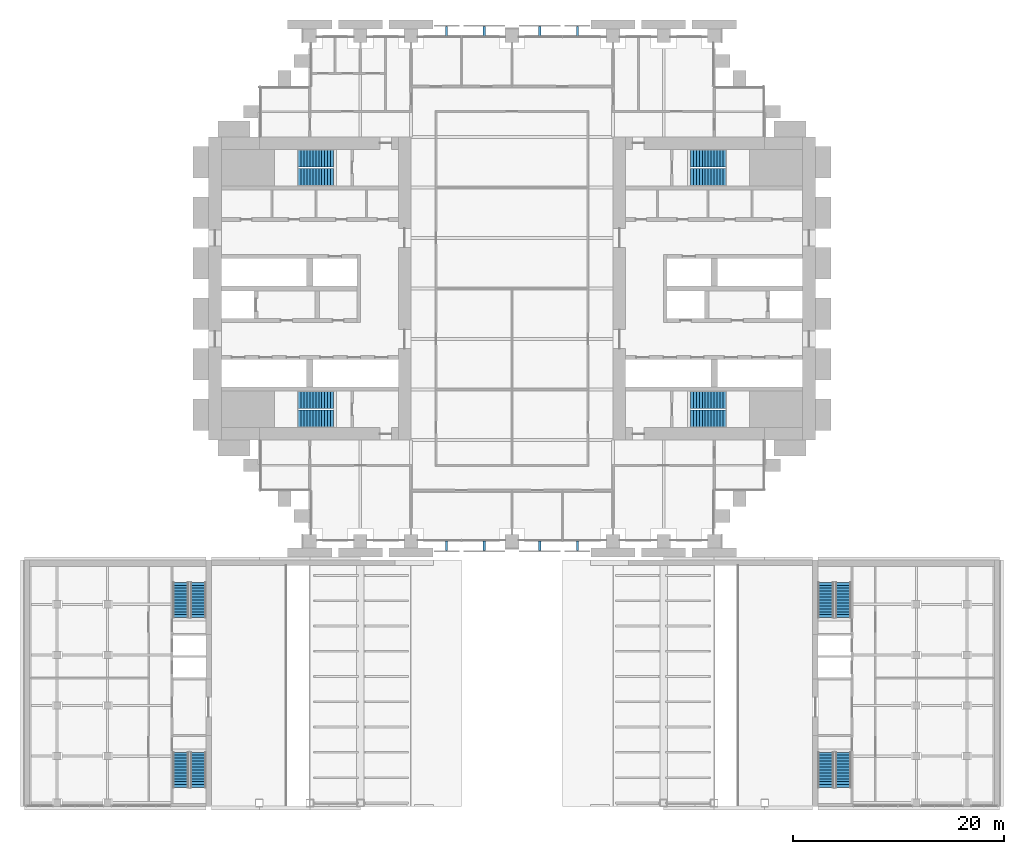
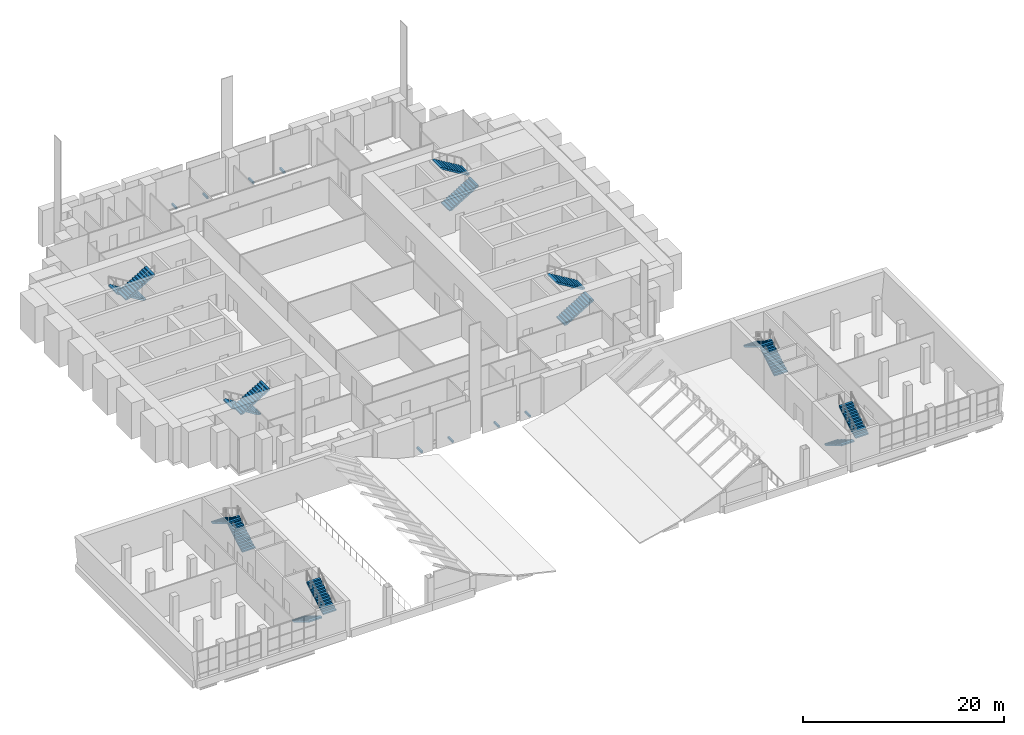
# One storey, part 25 of 32: 16 stair flights, 8 discrete accessories, 8 elements without a shape of their own.
"""IFC4 building model written with IfcOpenShell, lengths in metres."""

from ifc_helpers import new_model, si_unit, direction, frame, origin, origin_2d, place, context, subcontext, project, spatial, polyline, rectangle, outline, extrude, material, type_object, element, aggregate, save


model = new_model("IFC4")

# Units and contexts
model_context = context("Model", 3, precision=1e-05, world=origin(), true_north=direction((0.0, 1.0)))
body_context = subcontext(model_context, "Body", "Model", "MODEL_VIEW")
ifc_project = project(units=[si_unit("LENGTHUNIT", "METRE"), si_unit("AREAUNIT", "SQUARE_METRE"), si_unit("VOLUMEUNIT", "CUBIC_METRE"), si_unit("PLANEANGLEUNIT", "RADIAN"), si_unit("MASSUNIT", "GRAM", prefix="KILO")], contexts=[model_context])

# Site, building, storey
site_placement = place(None, origin())
site = spatial("IfcSite", under=ifc_project, at=site_placement, CompositionType="ELEMENT")
building_placement = place(site_placement, origin())
building = spatial("IfcBuilding", under=site, at=building_placement, Name="Baori Bourse Tower", CompositionType="ELEMENT")
storey_placement = place(building_placement, frame((0.0, 0.0, 12.60009765625)))
storey = spatial("IfcBuildingStorey", under=building, at=storey_placement, Name="L01", CompositionType="ELEMENT", Elevation=12.60009765625)

# Stair, stair flights
ifc_material_1 = material(Name="Concrete f'c 50 MPa", Category="concrete")
stair_type_1 = type_object("IfcStairType", Name="Core stair", PredefinedType="HALF_TURN_STAIR", material=ifc_material_1)
stair_1_placement = place(storey_placement, origin())
stair_1 = element("IfcStair", 1, at=stair_1_placement, inside=storey, type_object=stair_type_1, Name="L01 Stair WA", PredefinedType="HALF_TURN_STAIR")
ifc_material_2 = material(Name="Concrete f'c 50 MPa", Category="concrete")
stair_flight_type_1 = type_object("IfcStairFlightType", Name="Core stair flight", PredefinedType="STRAIGHT", material=ifc_material_2)
stair_flight_1_placement = place(storey_placement, frame((11.85009765625, 13.425048828125, 0.0), z_axis=(0.0, 0.0, 1.0), x_axis=(-1.0, 0.0, 0.0)))
stair_flight_1 = element("IfcStairFlight", 2, at=stair_flight_1_placement, type_object=stair_flight_type_1, Name="ST1 flight 1", NumberOfRisers=13, NumberOfTreads=12, PredefinedType="STRAIGHT", RiserHeight=0.169230769, TreadLength=0.28, context=body_context, shape_type="SweptSolid", body=[
    extrude(outline(polyline([(0.0, 0.0), (0.0, 0.169189453125), (0.280029296875, 0.169189453125), (0.280029296875, 0.33837890625), (0.56005859375, 0.33837890625), (0.56005859375, 0.5078125), (0.840087890625, 0.5078125), (0.840087890625, 0.677001953125), (1.1201171875, 0.677001953125), (1.1201171875, 0.84619140625), (1.39990234375, 0.84619140625), (1.39990234375, 1.015380859375), (1.679931640625, 1.015380859375), (1.679931640625, 1.1845703125), (1.9599609375, 1.1845703125), (1.9599609375, 1.353759765625), (2.239990234375, 1.353759765625), (2.239990234375, 1.523193359375), (2.52001953125, 1.523193359375), (2.52001953125, 1.6923828125), (2.800048828125, 1.6923828125), (2.800048828125, 1.861572265625), (3.080078125, 1.861572265625), (3.080078125, 2.03076171875), (3.360107421875, 2.03076171875), (3.360107421875, 2.199951171875), (3.360107421875, 1.855712890625), (0.289794921875, 0.0), (0.0, 0.0)])), frame((0.0, 0.824951171875, 0.0), z_axis=(0.0, -1.0, 0.0), x_axis=(1.0, 0.0, 0.0)), (0.0, 0.0, 1.0), 1.64990234375),
])
stair_flight_2_placement = place(storey_placement, frame((8.489990234375, 11.625, 2.199951171875), z_axis=(0.0, 0.0, 1.0), x_axis=(1.0, 0.0, 0.0)))
stair_flight_2 = element("IfcStairFlight", 3, at=stair_flight_2_placement, type_object=stair_flight_type_1, Name="ST1 flight 2", NumberOfRisers=13, NumberOfTreads=12, PredefinedType="STRAIGHT", RiserHeight=0.169230769, TreadLength=0.28, context=body_context, shape_type="SweptSolid", body=[
    extrude(outline(polyline([(0.0, 0.0), (0.0, 0.169189453125), (0.280029296875, 0.169189453125), (0.280029296875, 0.33837890625), (0.56005859375, 0.33837890625), (0.56005859375, 0.5078125), (0.840087890625, 0.5078125), (0.840087890625, 0.677001953125), (1.1201171875, 0.677001953125), (1.1201171875, 0.84619140625), (1.39990234375, 0.84619140625), (1.39990234375, 1.015380859375), (1.679931640625, 1.015380859375), (1.679931640625, 1.1845703125), (1.9599609375, 1.1845703125), (1.9599609375, 1.353759765625), (2.239990234375, 1.353759765625), (2.239990234375, 1.523193359375), (2.52001953125, 1.523193359375), (2.52001953125, 1.6923828125), (2.800048828125, 1.6923828125), (2.800048828125, 1.861572265625), (3.080078125, 1.861572265625), (3.080078125, 2.03076171875), (3.360107421875, 2.03076171875), (3.360107421875, 2.199951171875), (3.360107421875, 1.855712890625), (0.289794921875, 0.0), (0.0, 0.0)])), frame((0.0, 0.824951171875, 0.0), z_axis=(0.0, -1.0, 0.0), x_axis=(1.0, 0.0, 0.0)), (0.0, 0.0, 1.0), 1.64990234375),
])
aggregate(stair_1, [stair_flight_1, stair_flight_2])

stair_2_placement = place(storey_placement, origin())
stair_2 = element("IfcStair", 4, at=stair_2_placement, inside=storey, type_object=stair_type_1, Name="L01 Stair WB", PredefinedType="HALF_TURN_STAIR")
stair_flight_3_placement = place(storey_placement, frame((11.85009765625, 36.375, 0.0), z_axis=(0.0, 0.0, 1.0), x_axis=(-1.0, 0.0, 0.0)))
stair_flight_3 = element("IfcStairFlight", 5, at=stair_flight_3_placement, type_object=stair_flight_type_1, Name="ST2 flight 1", NumberOfRisers=13, NumberOfTreads=12, PredefinedType="STRAIGHT", RiserHeight=0.169230769, TreadLength=0.28, context=body_context, shape_type="SweptSolid", body=[
    extrude(outline(polyline([(0.0, 0.0), (0.0, 0.169189453125), (0.280029296875, 0.169189453125), (0.280029296875, 0.33837890625), (0.56005859375, 0.33837890625), (0.56005859375, 0.5078125), (0.840087890625, 0.5078125), (0.840087890625, 0.677001953125), (1.1201171875, 0.677001953125), (1.1201171875, 0.84619140625), (1.39990234375, 0.84619140625), (1.39990234375, 1.015380859375), (1.679931640625, 1.015380859375), (1.679931640625, 1.1845703125), (1.9599609375, 1.1845703125), (1.9599609375, 1.353759765625), (2.239990234375, 1.353759765625), (2.239990234375, 1.523193359375), (2.52001953125, 1.523193359375), (2.52001953125, 1.6923828125), (2.800048828125, 1.6923828125), (2.800048828125, 1.861572265625), (3.080078125, 1.861572265625), (3.080078125, 2.03076171875), (3.360107421875, 2.03076171875), (3.360107421875, 2.199951171875), (3.360107421875, 1.855712890625), (0.289794921875, 0.0), (0.0, 0.0)])), frame((0.0, 0.824951171875, 0.0), z_axis=(0.0, -1.0, 0.0), x_axis=(1.0, 0.0, 0.0)), (0.0, 0.0, 1.0), 1.64990234375),
])
stair_flight_4_placement = place(storey_placement, frame((8.489990234375, 34.574951171875, 2.199951171875), z_axis=(0.0, 0.0, 1.0), x_axis=(1.0, 0.0, 0.0)))
stair_flight_4 = element("IfcStairFlight", 6, at=stair_flight_4_placement, type_object=stair_flight_type_1, Name="ST2 flight 2", NumberOfRisers=13, NumberOfTreads=12, PredefinedType="STRAIGHT", RiserHeight=0.169230769, TreadLength=0.28, context=body_context, shape_type="SweptSolid", body=[
    extrude(outline(polyline([(0.0, 0.0), (0.0, 0.169189453125), (0.280029296875, 0.169189453125), (0.280029296875, 0.33837890625), (0.56005859375, 0.33837890625), (0.56005859375, 0.5078125), (0.840087890625, 0.5078125), (0.840087890625, 0.677001953125), (1.1201171875, 0.677001953125), (1.1201171875, 0.84619140625), (1.39990234375, 0.84619140625), (1.39990234375, 1.015380859375), (1.679931640625, 1.015380859375), (1.679931640625, 1.1845703125), (1.9599609375, 1.1845703125), (1.9599609375, 1.353759765625), (2.239990234375, 1.353759765625), (2.239990234375, 1.523193359375), (2.52001953125, 1.523193359375), (2.52001953125, 1.6923828125), (2.800048828125, 1.6923828125), (2.800048828125, 1.861572265625), (3.080078125, 1.861572265625), (3.080078125, 2.03076171875), (3.360107421875, 2.03076171875), (3.360107421875, 2.199951171875), (3.360107421875, 1.855712890625), (0.289794921875, 0.0), (0.0, 0.0)])), frame((0.0, 0.824951171875, 0.0), z_axis=(0.0, -1.0, 0.0), x_axis=(1.0, 0.0, 0.0)), (0.0, 0.0, 1.0), 1.64990234375),
])
aggregate(stair_2, [stair_flight_3, stair_flight_4])

stair_3_placement = place(storey_placement, origin())
stair_3 = element("IfcStair", 7, at=stair_3_placement, inside=storey, type_object=stair_type_1, Name="L01 Stair EA", PredefinedType="HALF_TURN_STAIR")
stair_flight_5_placement = place(storey_placement, frame((45.75, 11.625, 0.0), z_axis=(0.0, 0.0, 1.0), x_axis=(1.0, 0.0, 0.0)))
stair_flight_5 = element("IfcStairFlight", 8, at=stair_flight_5_placement, type_object=stair_flight_type_1, Name="ST3 flight 1", NumberOfRisers=13, NumberOfTreads=12, PredefinedType="STRAIGHT", RiserHeight=0.169230769, TreadLength=0.28, context=body_context, shape_type="SweptSolid", body=[
    extrude(outline(polyline([(0.0, 0.0), (0.0, 0.169189453125), (0.280029296875, 0.169189453125), (0.280029296875, 0.33837890625), (0.56005859375, 0.33837890625), (0.56005859375, 0.5078125), (0.840087890625, 0.5078125), (0.840087890625, 0.677001953125), (1.1201171875, 0.677001953125), (1.1201171875, 0.84619140625), (1.39990234375, 0.84619140625), (1.39990234375, 1.015380859375), (1.679931640625, 1.015380859375), (1.679931640625, 1.1845703125), (1.9599609375, 1.1845703125), (1.9599609375, 1.353759765625), (2.239990234375, 1.353759765625), (2.239990234375, 1.523193359375), (2.52001953125, 1.523193359375), (2.52001953125, 1.6923828125), (2.800048828125, 1.6923828125), (2.800048828125, 1.861572265625), (3.080078125, 1.861572265625), (3.080078125, 2.03076171875), (3.360107421875, 2.03076171875), (3.360107421875, 2.199951171875), (3.360107421875, 1.855712890625), (0.289794921875, 0.0), (0.0, 0.0)])), frame((0.0, 0.824951171875, 0.0), z_axis=(0.0, -1.0, 0.0), x_axis=(1.0, 0.0, 0.0)), (0.0, 0.0, 1.0), 1.64990234375),
])
stair_flight_6_placement = place(storey_placement, frame((49.110107421875, 13.425048828125, 2.199951171875), z_axis=(0.0, 0.0, 1.0), x_axis=(-1.0, 0.0, 0.0)))
stair_flight_6 = element("IfcStairFlight", 9, at=stair_flight_6_placement, type_object=stair_flight_type_1, Name="ST3 flight 2", NumberOfRisers=13, NumberOfTreads=12, PredefinedType="STRAIGHT", RiserHeight=0.169230769, TreadLength=0.28, context=body_context, shape_type="SweptSolid", body=[
    extrude(outline(polyline([(0.0, 0.0), (0.0, 0.169189453125), (0.280029296875, 0.169189453125), (0.280029296875, 0.33837890625), (0.56005859375, 0.33837890625), (0.56005859375, 0.5078125), (0.840087890625, 0.5078125), (0.840087890625, 0.677001953125), (1.1201171875, 0.677001953125), (1.1201171875, 0.84619140625), (1.39990234375, 0.84619140625), (1.39990234375, 1.015380859375), (1.679931640625, 1.015380859375), (1.679931640625, 1.1845703125), (1.9599609375, 1.1845703125), (1.9599609375, 1.353759765625), (2.239990234375, 1.353759765625), (2.239990234375, 1.523193359375), (2.52001953125, 1.523193359375), (2.52001953125, 1.6923828125), (2.800048828125, 1.6923828125), (2.800048828125, 1.861572265625), (3.080078125, 1.861572265625), (3.080078125, 2.03076171875), (3.360107421875, 2.03076171875), (3.360107421875, 2.199951171875), (3.360107421875, 1.855712890625), (0.289794921875, 0.0), (0.0, 0.0)])), frame((0.0, 0.824951171875, 0.0), z_axis=(0.0, -1.0, 0.0), x_axis=(1.0, 0.0, 0.0)), (0.0, 0.0, 1.0), 1.64990234375),
])
aggregate(stair_3, [stair_flight_5, stair_flight_6])

stair_4_placement = place(storey_placement, origin())
stair_4 = element("IfcStair", 10, at=stair_4_placement, inside=storey, type_object=stair_type_1, Name="L01 Stair EB", PredefinedType="HALF_TURN_STAIR")
stair_flight_7_placement = place(storey_placement, frame((45.75, 34.574951171875, 0.0), z_axis=(0.0, 0.0, 1.0), x_axis=(1.0, 0.0, 0.0)))
stair_flight_7 = element("IfcStairFlight", 11, at=stair_flight_7_placement, type_object=stair_flight_type_1, Name="ST4 flight 1", NumberOfRisers=13, NumberOfTreads=12, PredefinedType="STRAIGHT", RiserHeight=0.169230769, TreadLength=0.28, context=body_context, shape_type="SweptSolid", body=[
    extrude(outline(polyline([(0.0, 0.0), (0.0, 0.169189453125), (0.280029296875, 0.169189453125), (0.280029296875, 0.33837890625), (0.56005859375, 0.33837890625), (0.56005859375, 0.5078125), (0.840087890625, 0.5078125), (0.840087890625, 0.677001953125), (1.1201171875, 0.677001953125), (1.1201171875, 0.84619140625), (1.39990234375, 0.84619140625), (1.39990234375, 1.015380859375), (1.679931640625, 1.015380859375), (1.679931640625, 1.1845703125), (1.9599609375, 1.1845703125), (1.9599609375, 1.353759765625), (2.239990234375, 1.353759765625), (2.239990234375, 1.523193359375), (2.52001953125, 1.523193359375), (2.52001953125, 1.6923828125), (2.800048828125, 1.6923828125), (2.800048828125, 1.861572265625), (3.080078125, 1.861572265625), (3.080078125, 2.03076171875), (3.360107421875, 2.03076171875), (3.360107421875, 2.199951171875), (3.360107421875, 1.855712890625), (0.289794921875, 0.0), (0.0, 0.0)])), frame((0.0, 0.824951171875, 0.0), z_axis=(0.0, -1.0, 0.0), x_axis=(1.0, 0.0, 0.0)), (0.0, 0.0, 1.0), 1.64990234375),
])
stair_flight_8_placement = place(storey_placement, frame((49.110107421875, 36.375, 2.199951171875), z_axis=(0.0, 0.0, 1.0), x_axis=(-1.0, 0.0, 0.0)))
stair_flight_8 = element("IfcStairFlight", 12, at=stair_flight_8_placement, type_object=stair_flight_type_1, Name="ST4 flight 2", NumberOfRisers=13, NumberOfTreads=12, PredefinedType="STRAIGHT", RiserHeight=0.169230769, TreadLength=0.28, context=body_context, shape_type="SweptSolid", body=[
    extrude(outline(polyline([(0.0, 0.0), (0.0, 0.169189453125), (0.280029296875, 0.169189453125), (0.280029296875, 0.33837890625), (0.56005859375, 0.33837890625), (0.56005859375, 0.5078125), (0.840087890625, 0.5078125), (0.840087890625, 0.677001953125), (1.1201171875, 0.677001953125), (1.1201171875, 0.84619140625), (1.39990234375, 0.84619140625), (1.39990234375, 1.015380859375), (1.679931640625, 1.015380859375), (1.679931640625, 1.1845703125), (1.9599609375, 1.1845703125), (1.9599609375, 1.353759765625), (2.239990234375, 1.353759765625), (2.239990234375, 1.523193359375), (2.52001953125, 1.523193359375), (2.52001953125, 1.6923828125), (2.800048828125, 1.6923828125), (2.800048828125, 1.861572265625), (3.080078125, 1.861572265625), (3.080078125, 2.03076171875), (3.360107421875, 2.03076171875), (3.360107421875, 2.199951171875), (3.360107421875, 1.855712890625), (0.289794921875, 0.0), (0.0, 0.0)])), frame((0.0, 0.824951171875, 0.0), z_axis=(0.0, -1.0, 0.0), x_axis=(1.0, 0.0, 0.0)), (0.0, 0.0, 1.0), 1.64990234375),
])
aggregate(stair_4, [stair_flight_7, stair_flight_8])

ifc_material_3 = material(Name="Concrete f'c 40 MPa", Category="concrete")
stair_type_2 = type_object("IfcStairType", Name="Wing exit stair 1500", PredefinedType="HALF_TURN_STAIR", material=ifc_material_3)
stair_5_placement = place(storey_placement, origin())
stair_5 = element("IfcStair", 13, at=stair_5_placement, inside=storey, type_object=stair_type_2, Name="L01 Exit stair WA", PredefinedType="HALF_TURN_STAIR")
ifc_material_4 = material(Name="Concrete f'c 40 MPa", Category="concrete")
stair_flight_type_2 = type_object("IfcStairFlightType", Name="Wing stair flight 1500", PredefinedType="STRAIGHT", material=ifc_material_4)
stair_flight_9_placement = place(storey_placement, frame((-1.0, -7.260009765625, 0.0), z_axis=(0.0, 0.0, 1.0), x_axis=(0.0, 1.0, 0.0)))
stair_flight_9 = element("IfcStairFlight", 14, at=stair_flight_9_placement, type_object=stair_flight_type_2, Name="W-STA flight 1", NumberOfRisers=13, NumberOfTreads=12, PredefinedType="STRAIGHT", RiserHeight=0.169230769, TreadLength=0.28, context=body_context, shape_type="SweptSolid", body=[
    extrude(outline(polyline([(0.0, 0.0), (0.0, 0.169189453125), (0.280029296875, 0.169189453125), (0.280029296875, 0.33837890625), (0.56005859375, 0.33837890625), (0.56005859375, 0.5078125), (0.840087890625, 0.5078125), (0.840087890625, 0.677001953125), (1.1201171875, 0.677001953125), (1.1201171875, 0.84619140625), (1.39990234375, 0.84619140625), (1.39990234375, 1.015380859375), (1.679931640625, 1.015380859375), (1.679931640625, 1.1845703125), (1.9599609375, 1.1845703125), (1.9599609375, 1.353759765625), (2.239990234375, 1.353759765625), (2.239990234375, 1.523193359375), (2.52001953125, 1.523193359375), (2.52001953125, 1.6923828125), (2.800048828125, 1.6923828125), (2.800048828125, 1.861572265625), (3.080078125, 1.861572265625), (3.080078125, 2.03076171875), (3.360107421875, 2.03076171875), (3.360107421875, 2.199951171875), (3.360107421875, 1.855712890625), (0.289794921875, 0.0), (0.0, 0.0)])), frame((0.0, 0.75, 0.0), z_axis=(0.0, -1.0, 0.0), x_axis=(1.0, 0.0, 0.0)), (0.0, 0.0, 1.0), 1.5),
])
stair_flight_10_placement = place(storey_placement, frame((-2.64990234375, -3.89990234375, 2.199951171875), z_axis=(0.0, 0.0, 1.0), x_axis=(0.0, -1.0, 0.0)))
stair_flight_10 = element("IfcStairFlight", 15, at=stair_flight_10_placement, type_object=stair_flight_type_2, Name="W-STA flight 2", NumberOfRisers=13, NumberOfTreads=12, PredefinedType="STRAIGHT", RiserHeight=0.169230769, TreadLength=0.28, context=body_context, shape_type="SweptSolid", body=[
    extrude(outline(polyline([(0.0, 0.0), (0.0, 0.169189453125), (0.280029296875, 0.169189453125), (0.280029296875, 0.33837890625), (0.56005859375, 0.33837890625), (0.56005859375, 0.5078125), (0.840087890625, 0.5078125), (0.840087890625, 0.677001953125), (1.1201171875, 0.677001953125), (1.1201171875, 0.84619140625), (1.39990234375, 0.84619140625), (1.39990234375, 1.015380859375), (1.679931640625, 1.015380859375), (1.679931640625, 1.1845703125), (1.9599609375, 1.1845703125), (1.9599609375, 1.353759765625), (2.239990234375, 1.353759765625), (2.239990234375, 1.523193359375), (2.52001953125, 1.523193359375), (2.52001953125, 1.6923828125), (2.800048828125, 1.6923828125), (2.800048828125, 1.861572265625), (3.080078125, 1.861572265625), (3.080078125, 2.03076171875), (3.360107421875, 2.03076171875), (3.360107421875, 2.199951171875), (3.360107421875, 1.855712890625), (0.289794921875, 0.0), (0.0, 0.0)])), frame((0.0, 0.75, 0.0), z_axis=(0.0, -1.0, 0.0), x_axis=(1.0, 0.0, 0.0)), (0.0, 0.0, 1.0), 1.5),
])
aggregate(stair_5, [stair_flight_9, stair_flight_10])

stair_6_placement = place(storey_placement, origin())
stair_6 = element("IfcStair", 16, at=stair_6_placement, inside=storey, type_object=stair_type_2, Name="L01 Exit stair WB", PredefinedType="HALF_TURN_STAIR")
stair_flight_11_placement = place(storey_placement, frame((-2.64990234375, -20.0400390625, 0.0), z_axis=(0.0, 0.0, 1.0), x_axis=(0.0, -1.0, 0.0)))
stair_flight_11 = element("IfcStairFlight", 17, at=stair_flight_11_placement, type_object=stair_flight_type_2, Name="W-STB flight 1", NumberOfRisers=13, NumberOfTreads=12, PredefinedType="STRAIGHT", RiserHeight=0.169230769, TreadLength=0.28, context=body_context, shape_type="SweptSolid", body=[
    extrude(outline(polyline([(0.0, 0.0), (0.0, 0.169189453125), (0.280029296875, 0.169189453125), (0.280029296875, 0.33837890625), (0.56005859375, 0.33837890625), (0.56005859375, 0.5078125), (0.840087890625, 0.5078125), (0.840087890625, 0.677001953125), (1.1201171875, 0.677001953125), (1.1201171875, 0.84619140625), (1.39990234375, 0.84619140625), (1.39990234375, 1.015380859375), (1.679931640625, 1.015380859375), (1.679931640625, 1.1845703125), (1.9599609375, 1.1845703125), (1.9599609375, 1.353759765625), (2.239990234375, 1.353759765625), (2.239990234375, 1.523193359375), (2.52001953125, 1.523193359375), (2.52001953125, 1.6923828125), (2.800048828125, 1.6923828125), (2.800048828125, 1.861572265625), (3.080078125, 1.861572265625), (3.080078125, 2.03076171875), (3.360107421875, 2.03076171875), (3.360107421875, 2.199951171875), (3.360107421875, 1.855712890625), (0.289794921875, 0.0), (0.0, 0.0)])), frame((0.0, 0.75, 0.0), z_axis=(0.0, -1.0, 0.0), x_axis=(1.0, 0.0, 0.0)), (0.0, 0.0, 1.0), 1.5),
])
stair_flight_12_placement = place(storey_placement, frame((-1.0, -23.39990234375, 2.199951171875), z_axis=(0.0, 0.0, 1.0), x_axis=(0.0, 1.0, 0.0)))
stair_flight_12 = element("IfcStairFlight", 18, at=stair_flight_12_placement, type_object=stair_flight_type_2, Name="W-STB flight 2", NumberOfRisers=13, NumberOfTreads=12, PredefinedType="STRAIGHT", RiserHeight=0.169230769, TreadLength=0.28, context=body_context, shape_type="SweptSolid", body=[
    extrude(outline(polyline([(0.0, 0.0), (0.0, 0.169189453125), (0.280029296875, 0.169189453125), (0.280029296875, 0.33837890625), (0.56005859375, 0.33837890625), (0.56005859375, 0.5078125), (0.840087890625, 0.5078125), (0.840087890625, 0.677001953125), (1.1201171875, 0.677001953125), (1.1201171875, 0.84619140625), (1.39990234375, 0.84619140625), (1.39990234375, 1.015380859375), (1.679931640625, 1.015380859375), (1.679931640625, 1.1845703125), (1.9599609375, 1.1845703125), (1.9599609375, 1.353759765625), (2.239990234375, 1.353759765625), (2.239990234375, 1.523193359375), (2.52001953125, 1.523193359375), (2.52001953125, 1.6923828125), (2.800048828125, 1.6923828125), (2.800048828125, 1.861572265625), (3.080078125, 1.861572265625), (3.080078125, 2.03076171875), (3.360107421875, 2.03076171875), (3.360107421875, 2.199951171875), (3.360107421875, 1.855712890625), (0.289794921875, 0.0), (0.0, 0.0)])), frame((0.0, 0.75, 0.0), z_axis=(0.0, -1.0, 0.0), x_axis=(1.0, 0.0, 0.0)), (0.0, 0.0, 1.0), 1.5),
])
aggregate(stair_6, [stair_flight_11, stair_flight_12])

stair_7_placement = place(storey_placement, origin())
stair_7 = element("IfcStair", 19, at=stair_7_placement, inside=storey, type_object=stair_type_2, Name="L01 Exit stair EA", PredefinedType="HALF_TURN_STAIR")
stair_flight_13_placement = place(storey_placement, frame((60.25, -7.260009765625, 0.0), z_axis=(0.0, 0.0, 1.0), x_axis=(0.0, 1.0, 0.0)))
stair_flight_13 = element("IfcStairFlight", 20, at=stair_flight_13_placement, type_object=stair_flight_type_2, Name="E-STA flight 1", NumberOfRisers=13, NumberOfTreads=12, PredefinedType="STRAIGHT", RiserHeight=0.169230769, TreadLength=0.28, context=body_context, shape_type="SweptSolid", body=[
    extrude(outline(polyline([(0.0, 0.0), (0.0, 0.169189453125), (0.280029296875, 0.169189453125), (0.280029296875, 0.33837890625), (0.56005859375, 0.33837890625), (0.56005859375, 0.5078125), (0.840087890625, 0.5078125), (0.840087890625, 0.677001953125), (1.1201171875, 0.677001953125), (1.1201171875, 0.84619140625), (1.39990234375, 0.84619140625), (1.39990234375, 1.015380859375), (1.679931640625, 1.015380859375), (1.679931640625, 1.1845703125), (1.9599609375, 1.1845703125), (1.9599609375, 1.353759765625), (2.239990234375, 1.353759765625), (2.239990234375, 1.523193359375), (2.52001953125, 1.523193359375), (2.52001953125, 1.6923828125), (2.800048828125, 1.6923828125), (2.800048828125, 1.861572265625), (3.080078125, 1.861572265625), (3.080078125, 2.03076171875), (3.360107421875, 2.03076171875), (3.360107421875, 2.199951171875), (3.360107421875, 1.855712890625), (0.289794921875, 0.0), (0.0, 0.0)])), frame((0.0, 0.75, 0.0), z_axis=(0.0, -1.0, 0.0), x_axis=(1.0, 0.0, 0.0)), (0.0, 0.0, 1.0), 1.5),
])
stair_flight_14_placement = place(storey_placement, frame((58.60009765625, -3.89990234375, 2.199951171875), z_axis=(0.0, 0.0, 1.0), x_axis=(0.0, -1.0, 0.0)))
stair_flight_14 = element("IfcStairFlight", 21, at=stair_flight_14_placement, type_object=stair_flight_type_2, Name="E-STA flight 2", NumberOfRisers=13, NumberOfTreads=12, PredefinedType="STRAIGHT", RiserHeight=0.169230769, TreadLength=0.28, context=body_context, shape_type="SweptSolid", body=[
    extrude(outline(polyline([(0.0, 0.0), (0.0, 0.169189453125), (0.280029296875, 0.169189453125), (0.280029296875, 0.33837890625), (0.56005859375, 0.33837890625), (0.56005859375, 0.5078125), (0.840087890625, 0.5078125), (0.840087890625, 0.677001953125), (1.1201171875, 0.677001953125), (1.1201171875, 0.84619140625), (1.39990234375, 0.84619140625), (1.39990234375, 1.015380859375), (1.679931640625, 1.015380859375), (1.679931640625, 1.1845703125), (1.9599609375, 1.1845703125), (1.9599609375, 1.353759765625), (2.239990234375, 1.353759765625), (2.239990234375, 1.523193359375), (2.52001953125, 1.523193359375), (2.52001953125, 1.6923828125), (2.800048828125, 1.6923828125), (2.800048828125, 1.861572265625), (3.080078125, 1.861572265625), (3.080078125, 2.03076171875), (3.360107421875, 2.03076171875), (3.360107421875, 2.199951171875), (3.360107421875, 1.855712890625), (0.289794921875, 0.0), (0.0, 0.0)])), frame((0.0, 0.75, 0.0), z_axis=(0.0, -1.0, 0.0), x_axis=(1.0, 0.0, 0.0)), (0.0, 0.0, 1.0), 1.5),
])
aggregate(stair_7, [stair_flight_13, stair_flight_14])

stair_8_placement = place(storey_placement, origin())
stair_8 = element("IfcStair", 22, at=stair_8_placement, inside=storey, type_object=stair_type_2, Name="L01 Exit stair EB", PredefinedType="HALF_TURN_STAIR")
stair_flight_15_placement = place(storey_placement, frame((58.60009765625, -20.0400390625, 0.0), z_axis=(0.0, 0.0, 1.0), x_axis=(0.0, -1.0, 0.0)))
stair_flight_15 = element("IfcStairFlight", 23, at=stair_flight_15_placement, type_object=stair_flight_type_2, Name="E-STB flight 1", NumberOfRisers=13, NumberOfTreads=12, PredefinedType="STRAIGHT", RiserHeight=0.169230769, TreadLength=0.28, context=body_context, shape_type="SweptSolid", body=[
    extrude(outline(polyline([(0.0, 0.0), (0.0, 0.169189453125), (0.280029296875, 0.169189453125), (0.280029296875, 0.33837890625), (0.56005859375, 0.33837890625), (0.56005859375, 0.5078125), (0.840087890625, 0.5078125), (0.840087890625, 0.677001953125), (1.1201171875, 0.677001953125), (1.1201171875, 0.84619140625), (1.39990234375, 0.84619140625), (1.39990234375, 1.015380859375), (1.679931640625, 1.015380859375), (1.679931640625, 1.1845703125), (1.9599609375, 1.1845703125), (1.9599609375, 1.353759765625), (2.239990234375, 1.353759765625), (2.239990234375, 1.523193359375), (2.52001953125, 1.523193359375), (2.52001953125, 1.6923828125), (2.800048828125, 1.6923828125), (2.800048828125, 1.861572265625), (3.080078125, 1.861572265625), (3.080078125, 2.03076171875), (3.360107421875, 2.03076171875), (3.360107421875, 2.199951171875), (3.360107421875, 1.855712890625), (0.289794921875, 0.0), (0.0, 0.0)])), frame((0.0, 0.75, 0.0), z_axis=(0.0, -1.0, 0.0), x_axis=(1.0, 0.0, 0.0)), (0.0, 0.0, 1.0), 1.5),
])
stair_flight_16_placement = place(storey_placement, frame((60.25, -23.39990234375, 2.199951171875), z_axis=(0.0, 0.0, 1.0), x_axis=(0.0, 1.0, 0.0)))
stair_flight_16 = element("IfcStairFlight", 24, at=stair_flight_16_placement, type_object=stair_flight_type_2, Name="E-STB flight 2", NumberOfRisers=13, NumberOfTreads=12, PredefinedType="STRAIGHT", RiserHeight=0.169230769, TreadLength=0.28, context=body_context, shape_type="SweptSolid", body=[
    extrude(outline(polyline([(0.0, 0.0), (0.0, 0.169189453125), (0.280029296875, 0.169189453125), (0.280029296875, 0.33837890625), (0.56005859375, 0.33837890625), (0.56005859375, 0.5078125), (0.840087890625, 0.5078125), (0.840087890625, 0.677001953125), (1.1201171875, 0.677001953125), (1.1201171875, 0.84619140625), (1.39990234375, 0.84619140625), (1.39990234375, 1.015380859375), (1.679931640625, 1.015380859375), (1.679931640625, 1.1845703125), (1.9599609375, 1.1845703125), (1.9599609375, 1.353759765625), (2.239990234375, 1.353759765625), (2.239990234375, 1.523193359375), (2.52001953125, 1.523193359375), (2.52001953125, 1.6923828125), (2.800048828125, 1.6923828125), (2.800048828125, 1.861572265625), (3.080078125, 1.861572265625), (3.080078125, 2.03076171875), (3.360107421875, 2.03076171875), (3.360107421875, 2.199951171875), (3.360107421875, 1.855712890625), (0.289794921875, 0.0), (0.0, 0.0)])), frame((0.0, 0.75, 0.0), z_axis=(0.0, -1.0, 0.0), x_axis=(1.0, 0.0, 0.0)), (0.0, 0.0, 1.0), 1.5),
])
aggregate(stair_8, [stair_flight_15, stair_flight_16])

# Discrete accessories
ifc_material_5 = material(Name="Pale anodised aluminium", Category="aluminium")
discrete_accessory_type = type_object("IfcDiscreteAccessoryType", Name="OS2 Outer skin bracket", PredefinedType="BRACKET", material=ifc_material_5)
for number, where, z_axis, x_axis, name in (
    (25, (35.012451171875, 48.449951171875, -0.27001953125), (0.0, 0.0, 1.0), (-1.0, 0.0, 0.0), "Outer skin bracket L01 1"),
    (26, (31.4375, 48.449951171875, -0.27001953125), (0.0, 0.0, 1.0), (-1.0, 0.0, 0.0), "Outer skin bracket L01 2"),
    (27, (26.16259765625, 48.449951171875, -0.27001953125), (0.0, 0.0, 1.0), (-1.0, 0.0, 0.0), "Outer skin bracket L01 3"),
    (28, (22.58740234375, 48.449951171875, -0.27001953125), (0.0, 0.0, 1.0), (-1.0, 0.0, 0.0), "Outer skin bracket L01 4"),
    (29, (22.58740234375, -0.449951171875, -0.27001953125), (0.0, 0.0, 1.0), (1.0, 0.0, 0.0), "Outer skin bracket L01 5"),
    (30, (26.16259765625, -0.449951171875, -0.27001953125), (0.0, 0.0, 1.0), (1.0, 0.0, 0.0), "Outer skin bracket L01 6"),
    (31, (31.4375, -0.449951171875, -0.27001953125), (0.0, 0.0, 1.0), (1.0, 0.0, 0.0), "Outer skin bracket L01 7"),
    (32, (35.012451171875, -0.449951171875, -0.27001953125), (0.0, 0.0, 1.0), (1.0, 0.0, 0.0), "Outer skin bracket L01 8"),
):
    element("IfcDiscreteAccessory", number, at=place(storey_placement, frame(where, z_axis=z_axis, x_axis=x_axis)), inside=storey, type_object=discrete_accessory_type, Name=name, PredefinedType="BRACKET", context=body_context, shape_type="SweptSolid", body=[
        extrude(rectangle(XDim=0.199951171875, YDim=0.89990234375, at=origin_2d()), origin(), (0.0, 0.0, 1.0), 0.239990234375),
    ])

save(model, "model.ifc")
